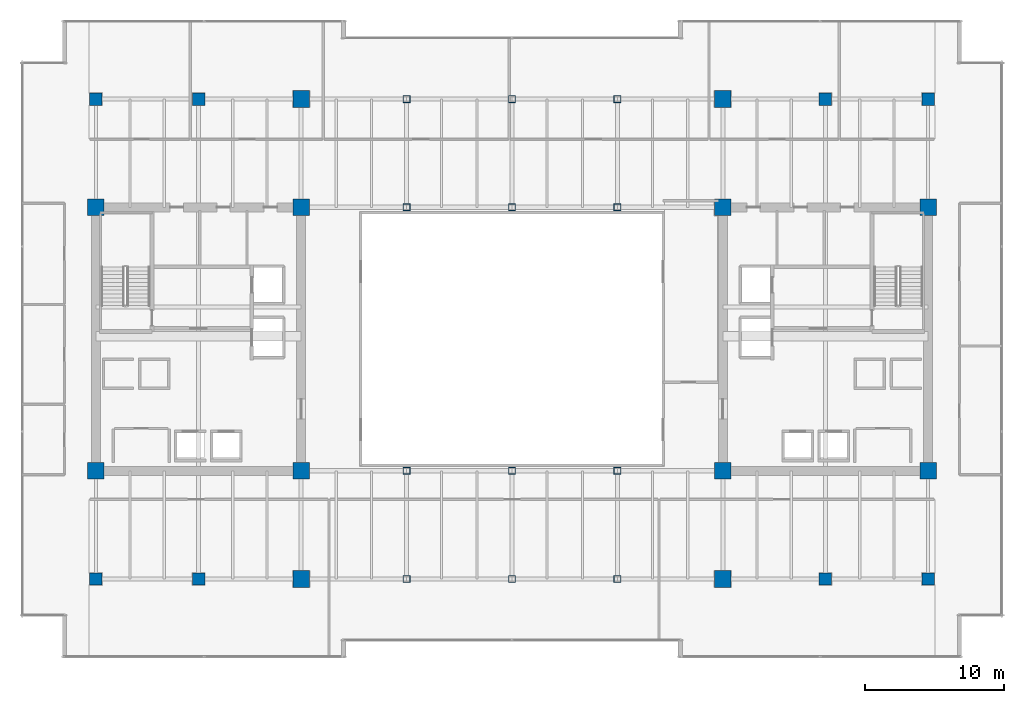
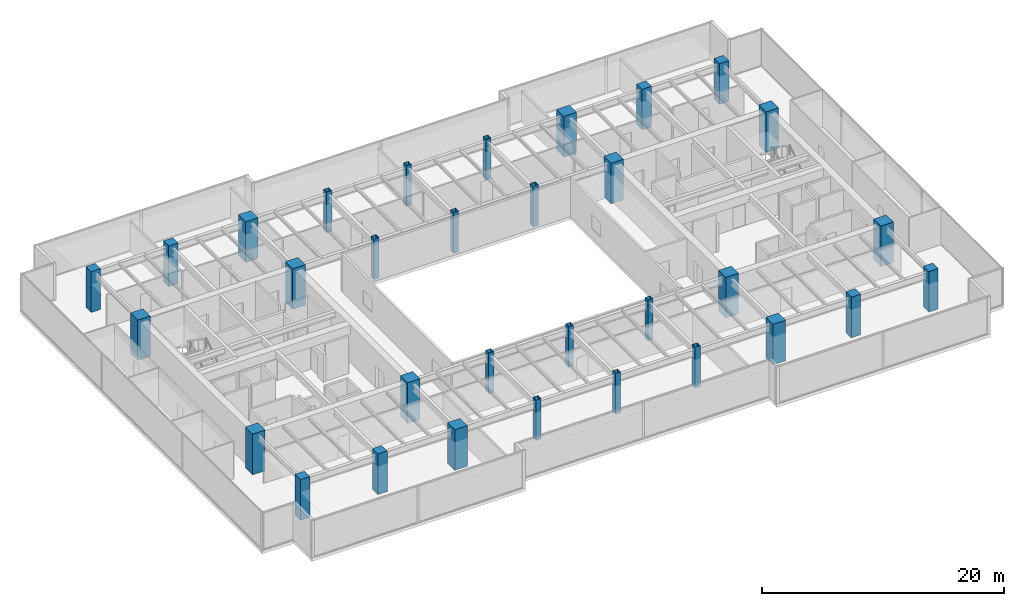
# One storey, part 1 of 33: 32 columns.
"""IFC4 building model written with IfcOpenShell, lengths in metres."""

from ifc_helpers import new_model, si_unit, direction, frame, origin, origin_2d, place, context, subcontext, project, spatial, rectangle, hollow_rectangle, extrude, source, transform, mapped, material, material_profile, profile_set, type_object, type_shapes, element, save


model = new_model("IFC4")

# Units and contexts
model_context = context("Model", 3, precision=1e-05, world=origin(), true_north=direction((0.0, 1.0)))
body_context = subcontext(model_context, "Body", "Model", "MODEL_VIEW")
ifc_project = project(units=[si_unit("LENGTHUNIT", "METRE"), si_unit("AREAUNIT", "SQUARE_METRE"), si_unit("VOLUMEUNIT", "CUBIC_METRE"), si_unit("PLANEANGLEUNIT", "RADIAN"), si_unit("MASSUNIT", "GRAM", prefix="KILO")], contexts=[model_context])

# Site, building, storey
site_placement = place(None, origin())
site = spatial("IfcSite", under=ifc_project, at=site_placement, CompositionType="ELEMENT")
building_placement = place(site_placement, origin())
building = spatial("IfcBuilding", under=site, at=building_placement, Name="Haelvirn Gate Laboratories", CompositionType="ELEMENT")
storey_placement = place(building_placement, frame((0.0, 0.0, 133.800048828125)))
storey = spatial("IfcBuildingStorey", under=building, at=storey_placement, Name="L32", CompositionType="ELEMENT", Elevation=133.800048828125)

# Columns
ifc_material_1 = material(Name="Concrete C50/60", Category="concrete")
ifc_material_profile_1 = material_profile(ifc_material_1, rectangle(XDim=0.89990234375, YDim=0.89990234375, at=origin_2d()), Name="RC-900x900")
ifc_profile_set_1 = profile_set([ifc_material_profile_1], Name="Concrete C50/60")
column_type_1 = type_object("IfcColumnType", Name="COL-RC-900", PredefinedType="COLUMN", material=ifc_profile_set_1)
shared_shape_1 = source(origin(), body_context, "Body", "SweptSolid", [
    extrude(rectangle(XDim=0.89990234375, YDim=0.89990234375, at=origin_2d()), origin(), (0.0, 0.0, 1.0), 4.099853515625),
])
type_shapes(column_type_1, [shared_shape_1])
for number, where, z_axis, x_axis, name in (
    (1, (14.800048828125, 7.0, 0.0), (0.0, 0.0, 1.0), (1.0, 0.0, 0.0), "L32 Column 3B"),
    (2, (14.800048828125, 41.60009765625, 0.0), (0.0, 0.0, 1.0), (1.0, 0.0, 0.0), "L32 Column 3G"),
    (3, (60.0, 7.0, 0.0), (0.0, 0.0, 1.0), (1.0, 0.0, 0.0), "L32 Column 9B"),
    (4, (60.0, 41.60009765625, 0.0), (0.0, 0.0, 1.0), (1.0, 0.0, 0.0), "L32 Column 9G"),
    (5, (7.39990234375, 7.0, 0.0), (0.0, 0.0, 1.0), (1.0, 0.0, 0.0), "L32 Column 2B"),
    (6, (7.39990234375, 41.60009765625, 0.0), (0.0, 0.0, 1.0), (1.0, 0.0, 0.0), "L32 Column 2G"),
    (7, (67.39990234375, 7.0, 0.0), (0.0, 0.0, 1.0), (1.0, 0.0, 0.0), "L32 Column 10B"),
    (8, (67.39990234375, 41.60009765625, 0.0), (0.0, 0.0, 1.0), (1.0, 0.0, 0.0), "L32 Column 10G"),
):
    element("IfcColumn", number, at=place(storey_placement, frame(where, z_axis=z_axis, x_axis=x_axis)), inside=storey, type_object=column_type_1, Name=name, PredefinedType="COLUMN", context=body_context, shape_type="MappedRepresentation", body=[
        mapped(shared_shape_1, transform((0.0, 0.0, 0.0), scale=1.0)),
    ])
ifc_material_2 = material(Name="Concrete C60/75", Category="concrete")
ifc_material_profile_2 = material_profile(ifc_material_2, rectangle(XDim=1.199951171875, YDim=1.199951171875, at=origin_2d()), Name="SRC-1200x1200")
ifc_profile_set_2 = profile_set([ifc_material_profile_2], Name="Concrete C60/75")
column_type_2 = type_object("IfcColumnType", Name="COL-SRC-1200", PredefinedType="COLUMN", material=ifc_profile_set_2)
shared_shape_2 = source(origin(), body_context, "Body", "SweptSolid", [
    extrude(rectangle(XDim=1.199951171875, YDim=1.199951171875, at=origin_2d()), origin(), (0.0, 0.0, 1.0), 4.099853515625),
])
type_shapes(column_type_2, [shared_shape_2])
for number, where, z_axis, x_axis, name in (
    (9, (22.199951171875, 7.0, 0.0), (0.0, 0.0, 1.0), (1.0, 0.0, 0.0), "L32 Column 4B"),
    (10, (7.39990234375, 14.800048828125, 0.0), (0.0, 0.0, 1.0), (1.0, 0.0, 0.0), "L32 Column 2C"),
    (11, (22.199951171875, 14.800048828125, 0.0), (0.0, 0.0, 1.0), (1.0, 0.0, 0.0), "L32 Column 4C"),
    (12, (7.39990234375, 33.800048828125, 0.0), (0.0, 0.0, 1.0), (1.0, 0.0, 0.0), "L32 Column 2F"),
    (13, (22.199951171875, 33.800048828125, 0.0), (0.0, 0.0, 1.0), (1.0, 0.0, 0.0), "L32 Column 4F"),
    (14, (22.199951171875, 41.60009765625, 0.0), (0.0, 0.0, 1.0), (1.0, 0.0, 0.0), "L32 Column 4G"),
    (15, (52.60009765625, 7.0, 0.0), (0.0, 0.0, 1.0), (1.0, 0.0, 0.0), "L32 Column 8B"),
    (16, (52.60009765625, 14.800048828125, 0.0), (0.0, 0.0, 1.0), (1.0, 0.0, 0.0), "L32 Column 8C"),
    (17, (67.39990234375, 14.800048828125, 0.0), (0.0, 0.0, 1.0), (1.0, 0.0, 0.0), "L32 Column 10C"),
    (18, (52.60009765625, 33.800048828125, 0.0), (0.0, 0.0, 1.0), (1.0, 0.0, 0.0), "L32 Column 8F"),
    (19, (67.39990234375, 33.800048828125, 0.0), (0.0, 0.0, 1.0), (1.0, 0.0, 0.0), "L32 Column 10F"),
    (20, (52.60009765625, 41.60009765625, 0.0), (0.0, 0.0, 1.0), (1.0, 0.0, 0.0), "L32 Column 8G"),
):
    element("IfcColumn", number, at=place(storey_placement, frame(where, z_axis=z_axis, x_axis=x_axis)), inside=storey, type_object=column_type_2, Name=name, PredefinedType="COLUMN", context=body_context, shape_type="MappedRepresentation", body=[
        mapped(shared_shape_2, transform((0.0, 0.0, 0.0), scale=1.0)),
    ])
ifc_material_3 = material(Name="Steel SM355", Category="steel")
ifc_material_profile_3 = material_profile(ifc_material_3, hollow_rectangle(XDim=0.5, YDim=0.5, WallThickness=0.02197265625, at=origin_2d()), Name="BOX-500x500x22")
ifc_profile_set_3 = profile_set([ifc_material_profile_3], Name="Steel SM355")
column_type_3 = type_object("IfcColumnType", Name="COL-BOX-500", PredefinedType="COLUMN", material=ifc_profile_set_3)
shared_shape_3 = source(origin(), body_context, "Body", "SweptSolid", [
    extrude(hollow_rectangle(XDim=0.5, YDim=0.5, WallThickness=0.02197265625, at=origin_2d()), origin(), (0.0, 0.0, 1.0), 4.099853515625),
])
type_shapes(column_type_3, [shared_shape_3])
for number, where, z_axis, x_axis, name in (
    (21, (29.800048828125, 7.0, 0.0), (0.0, 0.0, 1.0), (1.0, 0.0, 0.0), "L32 Column 5B"),
    (22, (29.800048828125, 14.800048828125, 0.0), (0.0, 0.0, 1.0), (1.0, 0.0, 0.0), "L32 Column 5C"),
    (23, (29.800048828125, 33.800048828125, 0.0), (0.0, 0.0, 1.0), (1.0, 0.0, 0.0), "L32 Column 5F"),
    (24, (29.800048828125, 41.60009765625, 0.0), (0.0, 0.0, 1.0), (1.0, 0.0, 0.0), "L32 Column 5G"),
    (25, (37.39990234375, 7.0, 0.0), (0.0, 0.0, 1.0), (1.0, 0.0, 0.0), "L32 Column 6B"),
    (26, (37.39990234375, 14.800048828125, 0.0), (0.0, 0.0, 1.0), (1.0, 0.0, 0.0), "L32 Column 6C"),
    (27, (37.39990234375, 33.800048828125, 0.0), (0.0, 0.0, 1.0), (1.0, 0.0, 0.0), "L32 Column 6F"),
    (28, (37.39990234375, 41.60009765625, 0.0), (0.0, 0.0, 1.0), (1.0, 0.0, 0.0), "L32 Column 6G"),
    (29, (45.0, 7.0, 0.0), (0.0, 0.0, 1.0), (1.0, 0.0, 0.0), "L32 Column 7B"),
    (30, (45.0, 14.800048828125, 0.0), (0.0, 0.0, 1.0), (1.0, 0.0, 0.0), "L32 Column 7C"),
    (31, (45.0, 33.800048828125, 0.0), (0.0, 0.0, 1.0), (1.0, 0.0, 0.0), "L32 Column 7F"),
    (32, (45.0, 41.60009765625, 0.0), (0.0, 0.0, 1.0), (1.0, 0.0, 0.0), "L32 Column 7G"),
):
    element("IfcColumn", number, at=place(storey_placement, frame(where, z_axis=z_axis, x_axis=x_axis)), inside=storey, type_object=column_type_3, Name=name, PredefinedType="COLUMN", context=body_context, shape_type="MappedRepresentation", body=[
        mapped(shared_shape_3, transform((0.0, 0.0, 0.0), scale=1.0)),
    ])

save(model, "model.ifc")
